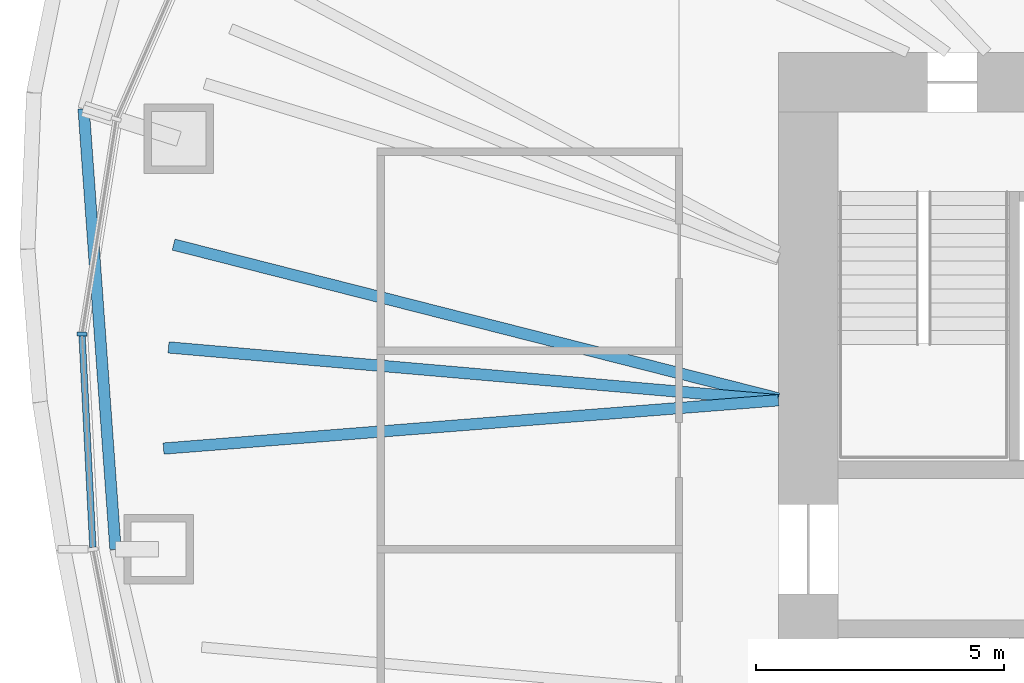
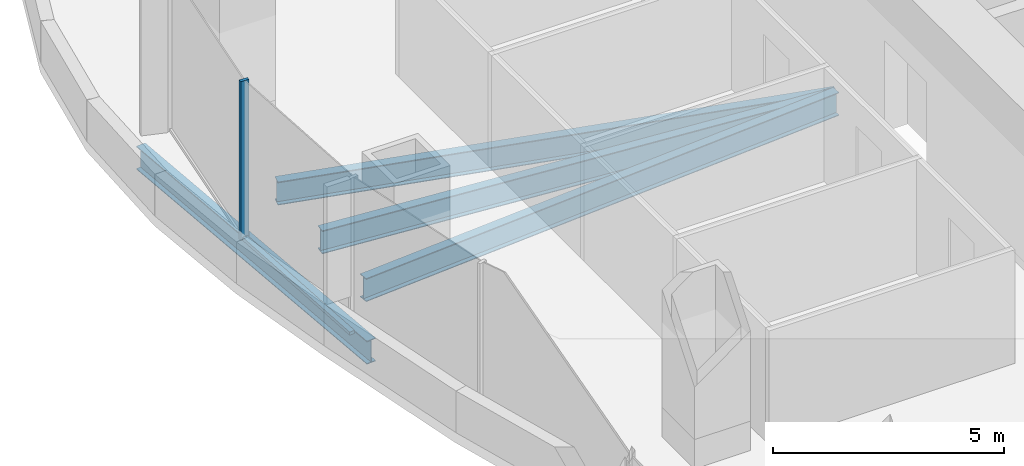
# One storey, part 3 of 12: 4 beams, 2 members, 1 element without a shape of its own.
"""IFC4 building model written with IfcOpenShell, lengths in metres."""

from ifc_helpers import new_model, si_unit, direction, frame, origin, origin_2d, place, context, subcontext, project, spatial, rectangle, i_section, extrude, material, material_profile, profile_set, type_object, element, aggregate, save


model = new_model("IFC4")

# Units and contexts
model_context = context("Model", 3, precision=1e-05, world=origin(), true_north=direction((0.0, 1.0)))
body_context = subcontext(model_context, "Body", "Model", "MODEL_VIEW")
ifc_project = project(units=[si_unit("LENGTHUNIT", "METRE"), si_unit("AREAUNIT", "SQUARE_METRE"), si_unit("VOLUMEUNIT", "CUBIC_METRE"), si_unit("PLANEANGLEUNIT", "RADIAN"), si_unit("MASSUNIT", "GRAM", prefix="KILO")], contexts=[model_context])

# Site, building, storey
site_placement = place(None, origin())
site = spatial("IfcSite", under=ifc_project, at=site_placement, CompositionType="ELEMENT")
building_placement = place(site_placement, origin())
building = spatial("IfcBuilding", under=site, at=building_placement, Name="Ghaith Harvest Tower", CompositionType="ELEMENT")
storey_placement = place(building_placement, frame((0.0, 0.0, 194.800048828125)))
storey = spatial("IfcBuildingStorey", under=building, at=storey_placement, Name="L42", CompositionType="ELEMENT", Elevation=194.800048828125)

# Curtain wall, members
ifc_material_1 = material(Name="Black anodised aluminium and fritted glass", Category="aluminium")
curtain_wall_type = type_object("IfcCurtainWallType", Name="CW-H CURTAIN WALL", PredefinedType="NOTDEFINED", material=ifc_material_1)
curtain_wall_placement = place(storey_placement, origin())
curtain_wall = element("IfcCurtainWall", 1, at=curtain_wall_placement, inside=storey, type_object=curtain_wall_type, Name="Curtain wall CW-H bay 10 L42", PredefinedType="NOTDEFINED")
ifc_material_2 = material(Name="Aluminium, black anodised", Category="aluminium")
ifc_material_profile_1 = material_profile(ifc_material_2, rectangle(XDim=0.080078125, YDim=0.199951171875, at=origin_2d()), Name="CW-H MULLION 80x200")
ifc_profile_set_1 = profile_set([ifc_material_profile_1], Name="Aluminium, black anodised")
member_type_1 = type_object("IfcMemberType", Name="CW-H MULLION 80x200", PredefinedType="MULLION", material=ifc_profile_set_1)
member_1_placement = place(storey_placement, frame((-28.015869140625, 4.333251953125, 0.0), z_axis=(0.0, 0.0, 1.0), x_axis=(-0.054116047044, -0.998534653105, 0.0)))
member_1 = element("IfcMember", 2, at=member_1_placement, type_object=member_type_1, Name="CW-H mullion 2 bay 10 L42", PredefinedType="MULLION", context=body_context, shape_type="SweptSolid", body=[
    extrude(rectangle(XDim=0.080078125, YDim=0.199951171875, at=origin_2d()), origin(), (0.0, 0.0, 1.0), 4.199951171875),
])
ifc_material_3 = material(Name="Aluminium, black anodised", Category="aluminium")
ifc_material_profile_2 = material_profile(ifc_material_3, rectangle(XDim=0.1298828125, YDim=0.080078125, at=origin_2d()), Name="CW-H TRANSOM 130x80")
ifc_profile_set_2 = profile_set([ifc_material_profile_2], Name="Aluminium, black anodised")
member_type_2 = type_object("IfcMemberType", Name="CW-H TRANSOM 130x80", PredefinedType="USERDEFINED", material=ifc_profile_set_2)
member_2_placement = place(storey_placement, frame((-28.013671875, 4.293212890625, 0.0400390625), z_axis=(0.05084969311, -0.998706317548, 0.0), x_axis=(0.998706317548, 0.05084969311, 0.0)))
member_2 = element("IfcMember", 3, at=member_2_placement, type_object=member_type_2, Name="CW-H transom 2 bay 10 L42", ObjectType="TRANSOM", PredefinedType="USERDEFINED", context=body_context, shape_type="SweptSolid", body=[
    extrude(rectangle(XDim=0.1298828125, YDim=0.080078125, at=origin_2d()), origin(), (0.0, 0.0, 1.0), 4.2587890625),
])
aggregate(curtain_wall, [member_1, member_2])

# Beams
ifc_material_4 = material(Name="Steel ASTM A992 Grade 50", Category="steel")
ifc_material_profile_3 = material_profile(ifc_material_4, i_section(OverallWidth=0.22900390625, OverallDepth=0.612060546875, WebThickness=0.011962890625, FlangeThickness=0.01953125, at=origin_2d()), Name="W610X125")
ifc_profile_set_3 = profile_set([ifc_material_profile_3], Name="Steel ASTM A992 Grade 50")
beam_type_1 = type_object("IfcBeamType", Name="E610-125 W610X125", PredefinedType="SPANDREL", material=ifc_profile_set_3)
beam_1_placement = place(storey_placement, frame((-27.982666015625, 8.8681640625, -0.5810546875), z_axis=(0.07213293513, -0.997395026892, 0.0), x_axis=(0.997395026892, 0.07213293513, 0.0)))
element("IfcBeam", 4, at=beam_1_placement, inside=storey, type_object=beam_type_1, Name="Setback edge beam E10 L42", PredefinedType="SPANDREL", context=body_context, shape_type="SweptSolid", body=[
    extrude(i_section(OverallWidth=0.22900390625, OverallDepth=0.612060546875, WebThickness=0.011962890625, FlangeThickness=0.01953125, at=origin_2d()), origin(), (0.0, 0.0, 1.0), 8.891357421875),
])
ifc_material_5 = material(Name="Steel ASTM A992 Grade 50", Category="steel")
ifc_material_profile_4 = material_profile(ifc_material_5, i_section(OverallWidth=0.22900390625, OverallDepth=0.612060546875, WebThickness=0.011962890625, FlangeThickness=0.01953125, at=origin_2d()), Name="W610X125")
ifc_profile_set_4 = profile_set([ifc_material_profile_4], Name="Steel ASTM A992 Grade 50")
beam_type_2 = type_object("IfcBeamType", Name="J610-125 W610X125", PredefinedType="JOIST", material=ifc_profile_set_4)
beam_2_placement = place(storey_placement, frame((-14.0, 3.036865234375, -0.47607421875), z_axis=(-0.969138390714, 0.246517300901, 0.0), x_axis=(-0.246517300901, -0.969138390714, 0.0)))
element("IfcBeam", 5, at=beam_2_placement, inside=storey, type_object=beam_type_2, Name="Joist J10.1 L42", PredefinedType="JOIST", context=body_context, shape_type="SweptSolid", body=[
    extrude(i_section(OverallWidth=0.22900390625, OverallDepth=0.612060546875, WebThickness=0.011962890625, FlangeThickness=0.01953125, at=origin_2d()), origin(), (0.0, 0.0, 1.0), 12.559814453125),
])
beam_3_placement = place(storey_placement, frame((-14.0, 3.0, -0.47607421875), z_axis=(-0.996265900996, 0.086338024716, 0.0), x_axis=(-0.086338024716, -0.996265900996, 0.0)))
element("IfcBeam", 6, at=beam_3_placement, inside=storey, type_object=beam_type_2, Name="Joist J10.2 L42", PredefinedType="JOIST", context=body_context, shape_type="SweptSolid", body=[
    extrude(i_section(OverallWidth=0.22900390625, OverallDepth=0.612060546875, WebThickness=0.011962890625, FlangeThickness=0.01953125, at=origin_2d()), origin(), (0.0, 0.0, 1.0), 12.3203125),
])
beam_4_placement = place(storey_placement, frame((-14.0, 3.0, -0.47607421875), z_axis=(-0.996926913586, -0.078337277005, 0.0), x_axis=(0.078337277005, -0.996926913586, 0.0)))
element("IfcBeam", 7, at=beam_4_placement, inside=storey, type_object=beam_type_2, Name="Joist J10.3 L42", PredefinedType="JOIST", context=body_context, shape_type="SweptSolid", body=[
    extrude(i_section(OverallWidth=0.22900390625, OverallDepth=0.612060546875, WebThickness=0.011962890625, FlangeThickness=0.01953125, at=origin_2d()), origin(), (0.0, 0.0, 1.0), 12.4130859375),
])

save(model, "model.ifc")
